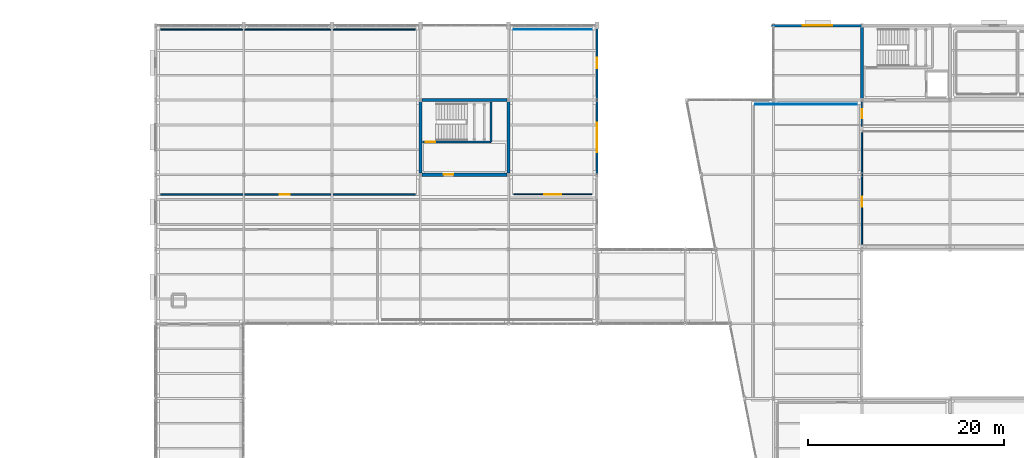
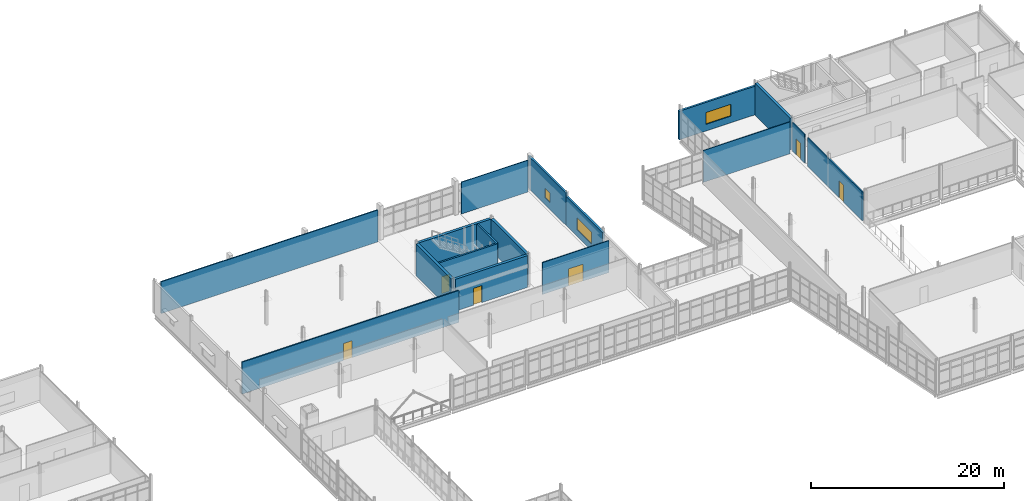
# One storey, part 161 of 174: 17 walls, 6 doors, 3 windows, 9 openings.
"""IFC4 building model written with IfcOpenShell, lengths in metres."""

from ifc_helpers import new_model, si_unit, direction, frame, frame_2d, origin, place, context, subcontext, project, spatial, rectangle, extrude, material, layer, layer_set, type_object, element, fill, save


model = new_model("IFC4")

# Units and contexts
model_context = context("Model", 3, precision=1e-05, world=origin(), true_north=direction((0.0, 1.0)))
body_context = subcontext(model_context, "Body", "Model", "MODEL_VIEW")
ifc_project = project(units=[si_unit("LENGTHUNIT", "METRE"), si_unit("AREAUNIT", "SQUARE_METRE"), si_unit("VOLUMEUNIT", "CUBIC_METRE"), si_unit("PLANEANGLEUNIT", "RADIAN"), si_unit("MASSUNIT", "GRAM", prefix="KILO")], contexts=[model_context])

# Site, building, storey
site_placement = place(None, origin())
site = spatial("IfcSite", under=ifc_project, at=site_placement, CompositionType="ELEMENT")
building_placement = place(site_placement, origin())
building = spatial("IfcBuilding", under=site, at=building_placement, Name="Caisbarro Railhouse Central Library", CompositionType="ELEMENT")
storey_placement = place(building_placement, frame((0.0, 0.0, 5.0400390625)))
storey = spatial("IfcBuildingStorey", under=building, at=storey_placement, Name="L01", CompositionType="ELEMENT", Elevation=5.0400390625)

# Wall
ifc_material_1 = material(Name="Concrete C40", Category="concrete")
ifc_layer_1 = layer(ifc_material_1, 0.320068359375, Name="Concrete C40")
ifc_layer_set_1 = layer_set([ifc_layer_1], Name="Concrete C40")
wall_type_1 = type_object("IfcWallType", Name="WAL-CW32", PredefinedType="SHEAR", material=ifc_layer_set_1)
wall_1_placement = place(storey_placement, frame((126.0, 106.56005859375, 0.0), z_axis=(0.0, 0.0, 1.0), x_axis=(0.0, 1.0, 0.0)))
element("IfcWall", 1, at=wall_1_placement, inside=storey, type_object=wall_type_1, Name="CW32 RC core shear wall L01 #44", PredefinedType="SHEAR", context=body_context, shape_type="SweptSolid", body=[
    extrude(rectangle(XDim=7.280029296875, YDim=0.320068359375, at=frame_2d((3.64013671875, 0.0))), origin(), (0.0, 0.0, 1.0), 4.0400390625),
])

# Wall, opening, door
wall_2_placement = place(storey_placement, frame((81.159912109375, 98.800048828125, 0.0), z_axis=(0.0, 0.0, 1.0), x_axis=(1.0, 0.0, 0.0)))
wall_2 = element("IfcWall", 2, at=wall_2_placement, inside=storey, type_object=wall_type_1, Name="CW32 RC core shear wall L01 #72", PredefinedType="SHEAR", context=body_context, shape_type="SweptSolid", body=[
    extrude(rectangle(XDim=8.68017578125, YDim=0.320068359375, at=frame_2d((4.340087890625, 0.0))), origin(), (0.0, 0.0, 1.0), 4.0400390625),
])
opening_1_placement = place(wall_2_placement, frame((2.199951171875, 0.0, 0.0)))
opening_1 = element("IfcOpeningElement", 3, at=opening_1_placement, cuts=wall_2, Name="Opening FD05", PredefinedType="OPENING", context=body_context, shape_type="SweptSolid", body=[
    extrude(rectangle(XDim=1.0, YDim=2.14990234375, at=frame_2d((0.5, 1.074951171875))), frame((0.0, 0.169921875, 0.0), z_axis=(0.0, -1.0, 0.0), x_axis=(1.0, 0.0, 0.0)), (0.0, 0.0, 1.0), 0.340087890625),
])
ifc_material_2 = material(Name="Fire-rated painted galvanised steel", Category="steel")
door_type_1 = type_object("IfcDoorType", Name="DR-FD05", OperationType="NOTDEFINED", PredefinedType="DOOR", material=ifc_material_2)
door_1_placement = place(opening_1_placement, origin())
door_1 = element("IfcDoor", 4, at=door_1_placement, inside=storey, type_object=door_type_1, Name="Core K5 Lobby Door FD05 L01-114", OperationType="SINGLE_SWING_LEFT", OverallHeight=2.14990234375, OverallWidth=1.0, PredefinedType="DOOR", context=body_context, shape_type="SweptSolid", body=[
    extrude(rectangle(XDim=1.0, YDim=2.14990234375, at=frame_2d((0.5, 1.074951171875))), frame((0.0, 0.02490234375, 0.0), z_axis=(0.0, -1.0, 0.0), x_axis=(1.0, 0.0, 0.0)), (0.0, 0.0, 1.0), 0.050048828125),
])
fill(opening_1, door_1)

# Walls
wall_3_placement = place(storey_placement, frame((81.159912109375, 106.39990234375, 0.0), z_axis=(0.0, 0.0, 1.0), x_axis=(1.0, 0.0, 0.0)))
element("IfcWall", 5, at=wall_3_placement, inside=storey, type_object=wall_type_1, Name="CW32 RC core shear wall L01 #73", PredefinedType="SHEAR", context=body_context, shape_type="SweptSolid", body=[
    extrude(rectangle(XDim=8.68017578125, YDim=0.320068359375, at=frame_2d((4.340087890625, 0.0))), origin(), (0.0, 0.0, 1.0), 4.0400390625),
])
for number, where, z_axis, x_axis, name in (
    (6, (81.0, 98.9599609375, 0.0), (0.0, 0.0, 1.0), (0.0, 1.0, 0.0), "CW32 RC core shear wall L01 #74"),
    (7, (90.0, 98.9599609375, 0.0), (0.0, 0.0, 1.0), (0.0, 1.0, 0.0), "CW32 RC core shear wall L01 #75"),
):
    element("IfcWall", number, at=place(storey_placement, frame(where, z_axis=z_axis, x_axis=x_axis)), inside=storey, type_object=wall_type_1, Name=name, PredefinedType="SHEAR", context=body_context, shape_type="SweptSolid", body=[
        extrude(rectangle(XDim=7.280029296875, YDim=0.320068359375, at=frame_2d((3.64013671875, 0.0))), origin(), (0.0, 0.0, 1.0), 4.0400390625),
    ])

# Wall, opening, window
ifc_material_3 = material(Name="Concrete C35 insulated architectural precast", Category="concrete")
ifc_layer_2 = layer(ifc_material_3, 0.239990234375, Name="Concrete C35 insulated architectural precast")
ifc_layer_set_2 = layer_set([ifc_layer_2], Name="Concrete C35 insulated architectural precast")
wall_type_2 = type_object("IfcWallType", Name="WAL-EW24", PredefinedType="STANDARD", material=ifc_layer_set_2)
wall_4_placement = place(storey_placement, frame((116.7900390625, 114.0, 0.0), z_axis=(0.0, 0.0, 1.0), x_axis=(1.0, 0.0, 0.0)))
wall_4 = element("IfcWall", 8, at=wall_4_placement, inside=storey, type_object=wall_type_2, Name="EW24 exterior wall L01 #208", PredefinedType="STANDARD", context=body_context, shape_type="SweptSolid", body=[
    extrude(rectangle(XDim=9.2099609375, YDim=0.239990234375, at=frame_2d((4.60498046875, 0.0))), origin(), (0.0, 0.0, 1.0), 3.630859375),
])
opening_2_placement = place(wall_4_placement, frame((3.2099609375, 0.0, 0.85009765625)))
opening_2 = element("IfcOpeningElement", 9, at=opening_2_placement, cuts=wall_4, Name="Opening W27", PredefinedType="OPENING", context=body_context, shape_type="SweptSolid", body=[
    extrude(rectangle(XDim=3.0, YDim=1.5, at=frame_2d((1.5, 0.75))), frame((0.0, 0.1298828125, 0.0), z_axis=(0.0, -1.0, 0.0), x_axis=(1.0, 0.0, 0.0)), (0.0, 0.0, 1.0), 0.260009765625),
])
ifc_material_4 = material(Name="Double low-e laminated solar-control glass", Category="glass")
window_type_1 = type_object("IfcWindowType", Name="WIN-W27", PartitioningType="SINGLE_PANEL", PredefinedType="WINDOW", material=ifc_material_4)
window_1_placement = place(opening_2_placement, origin())
window_1 = element("IfcWindow", 10, at=window_1_placement, inside=storey, type_object=window_type_1, Name="W27 window L01-068", OverallHeight=1.5, OverallWidth=3.0, PartitioningType="SINGLE_PANEL", PredefinedType="WINDOW", context=body_context, shape_type="SweptSolid", body=[
    extrude(rectangle(XDim=3.0, YDim=1.5, at=frame_2d((1.5, 0.75))), frame((0.0, 0.030029296875, 0.0), z_axis=(0.0, -1.0, 0.0), x_axis=(1.0, 0.0, 0.0)), (0.0, 0.0, 1.0), 0.06005859375),
])
fill(opening_2, window_1)

wall_5_placement = place(storey_placement, frame((99.0, 98.800048828125, 0.0), z_axis=(0.0, 0.0, 1.0), x_axis=(0.0, 1.0, 0.0)))
wall_5 = element("IfcWall", 11, at=wall_5_placement, inside=storey, type_object=wall_type_2, Name="EW24 exterior wall L01 #245", PredefinedType="STANDARD", context=body_context, shape_type="SweptSolid", body=[
    extrude(rectangle(XDim=7.599853515625, YDim=0.239990234375, at=frame_2d((3.7998046875, 0.0))), origin(), (0.0, 0.0, 1.0), 3.700927734375),
])
opening_3_placement = place(wall_5_placement, frame((2.300048828125, 0.0, 0.85009765625)))
opening_3 = element("IfcOpeningElement", 12, at=opening_3_placement, cuts=wall_5, Name="Opening W27", PredefinedType="OPENING", context=body_context, shape_type="SweptSolid", body=[
    extrude(rectangle(XDim=3.0, YDim=1.5, at=frame_2d((1.5, 0.75))), frame((0.0, 0.1298828125, 0.0), z_axis=(0.0, -1.0, 0.0), x_axis=(1.0, 0.0, 0.0)), (0.0, 0.0, 1.0), 0.260009765625),
])
window_2_placement = place(opening_3_placement, origin())
window_2 = element("IfcWindow", 13, at=window_2_placement, inside=storey, type_object=window_type_1, Name="W27 window L01-093", OverallHeight=1.5, OverallWidth=3.0, PartitioningType="SINGLE_PANEL", PredefinedType="WINDOW", context=body_context, shape_type="SweptSolid", body=[
    extrude(rectangle(XDim=3.0, YDim=1.5, at=frame_2d((1.5, 0.75))), frame((0.0, 0.030029296875, 0.0), z_axis=(0.0, -1.0, 0.0), x_axis=(1.0, 0.0, 0.0)), (0.0, 0.0, 1.0), 0.06005859375),
])
fill(opening_3, window_2)

wall_6_placement = place(storey_placement, frame((99.0, 106.39990234375, 0.0), z_axis=(0.0, 0.0, 1.0), x_axis=(0.0, 1.0, 0.0)))
wall_6 = element("IfcWall", 14, at=wall_6_placement, inside=storey, type_object=wall_type_2, Name="EW24 exterior wall L01 #247", PredefinedType="STANDARD", context=body_context, shape_type="SweptSolid", body=[
    extrude(rectangle(XDim=7.81005859375, YDim=0.239990234375, at=frame_2d((3.905029296875, 0.0))), origin(), (0.0, 0.0, 1.0), 4.080078125),
])
opening_4_placement = place(wall_6_placement, frame((3.27490234375, 0.0, 0.85009765625)))
opening_4 = element("IfcOpeningElement", 15, at=opening_4_placement, cuts=wall_6, Name="Opening W02", PredefinedType="OPENING", context=body_context, shape_type="SweptSolid", body=[
    extrude(rectangle(XDim=1.050048828125, YDim=1.199951171875, at=frame_2d((0.52490234375, 0.60009765625))), frame((0.0, 0.1298828125, 0.0), z_axis=(0.0, -1.0, 0.0), x_axis=(1.0, 0.0, 0.0)), (0.0, 0.0, 1.0), 0.260009765625),
])
window_type_2 = type_object("IfcWindowType", Name="WIN-W02", PartitioningType="SINGLE_PANEL", PredefinedType="WINDOW", material=ifc_material_4)
window_3_placement = place(opening_4_placement, origin())
window_3 = element("IfcWindow", 16, at=window_3_placement, inside=storey, type_object=window_type_2, Name="W02 window L01-095", OverallHeight=1.199951171875, OverallWidth=1.050048828125, PartitioningType="SINGLE_PANEL", PredefinedType="WINDOW", context=body_context, shape_type="SweptSolid", body=[
    extrude(rectangle(XDim=1.050048828125, YDim=1.199951171875, at=frame_2d((0.52490234375, 0.60009765625))), frame((0.0, 0.030029296875, 0.0), z_axis=(0.0, -1.0, 0.0), x_axis=(1.0, 0.0, 0.0)), (0.0, 0.0, 1.0), 0.06005859375),
])
fill(opening_4, window_3)

# Walls
ifc_material_5 = material(Name="Acoustic gypsum board on galvanised steel studs", Category="steel")
ifc_layer_3 = layer(ifc_material_5, 0.090087890625, Name="Acoustic gypsum board on galvanised steel studs")
ifc_layer_set_3 = layer_set([ifc_layer_3], Name="Acoustic gypsum board on galvanised steel studs")
wall_type_3 = type_object("IfcWallType", Name="WAL-IW09", PredefinedType="PARTITIONING", material=ifc_layer_set_3)
wall_7_placement = place(storey_placement, frame((90.52001953125, 113.60009765625, 0.0), z_axis=(0.0, 0.0, 1.0), x_axis=(1.0, 0.0, 0.0)))
element("IfcWall", 17, at=wall_7_placement, inside=storey, type_object=wall_type_3, Name="IW09 partition wall L01 #431", PredefinedType="PARTITIONING", context=body_context, shape_type="SweptSolid", body=[
    extrude(rectangle(XDim=7.9599609375, YDim=0.090087890625, at=frame_2d((3.97998046875, 0.0))), origin(), (0.0, 0.0, 1.0), 4.0400390625),
])
wall_8_placement = place(storey_placement, frame((115.1201171875, 106.0, 0.0), z_axis=(0.0, 0.0, 1.0), x_axis=(1.0, 0.0, 0.0)))
element("IfcWall", 18, at=wall_8_placement, inside=storey, type_object=wall_type_3, Name="IW09 partition wall L01 #463", PredefinedType="PARTITIONING", context=body_context, shape_type="SweptSolid", body=[
    extrude(rectangle(XDim=10.35986328125, YDim=0.090087890625, at=frame_2d((5.179931640625, 0.0))), origin(), (0.0, 0.0, 1.0), 4.0400390625),
])

# Wall, opening, door
ifc_layer_4 = layer(ifc_material_5, 0.110107421875, Name="Acoustic gypsum board on galvanised steel studs")
ifc_layer_set_4 = layer_set([ifc_layer_4], Name="Acoustic gypsum board on galvanised steel studs")
wall_type_4 = type_object("IfcWallType", Name="WAL-IW11", PredefinedType="PARTITIONING", material=ifc_layer_set_4)
wall_9_placement = place(storey_placement, frame((90.52001953125, 96.800048828125, 0.0), z_axis=(0.0, 0.0, 1.0), x_axis=(1.0, 0.0, 0.0)))
wall_9 = element("IfcWall", 19, at=wall_9_placement, inside=storey, type_object=wall_type_4, Name="IW11 partition wall L01 #430", PredefinedType="PARTITIONING", context=body_context, shape_type="SweptSolid", body=[
    extrude(rectangle(XDim=7.9599609375, YDim=0.110107421875, at=frame_2d((3.97998046875, 0.0))), origin(), (0.0, 0.0, 1.0), 4.0400390625),
])
opening_5_placement = place(wall_9_placement, frame((3.114990234375, 0.0, 0.0)))
opening_5 = element("IfcOpeningElement", 20, at=opening_5_placement, cuts=wall_9, Name="Opening ID36", PredefinedType="OPENING", context=body_context, shape_type="SweptSolid", body=[
    extrude(rectangle(XDim=1.72998046875, YDim=2.14990234375, at=frame_2d((0.864990234375, 1.074951171875))), frame((0.0, 0.06494140625, 0.0), z_axis=(0.0, -1.0, 0.0), x_axis=(1.0, 0.0, 0.0)), (0.0, 0.0, 1.0), 0.130126953125),
])
ifc_material_6 = material(Name="Solid-core tropical hardwood veneer", Category="wood")
door_type_2 = type_object("IfcDoorType", Name="DR-ID36", OperationType="NOTDEFINED", PredefinedType="DOOR", material=ifc_material_6)
door_2_placement = place(opening_5_placement, origin())
door_2 = element("IfcDoor", 21, at=door_2_placement, inside=storey, type_object=door_type_2, Name="Civic Workshop Classroom Door ID36 L01-255", OperationType="SINGLE_SWING_LEFT", OverallHeight=2.14990234375, OverallWidth=1.72998046875, PredefinedType="DOOR", context=body_context, shape_type="SweptSolid", body=[
    extrude(rectangle(XDim=1.72998046875, YDim=2.14990234375, at=frame_2d((0.864990234375, 1.074951171875))), frame((0.0, 0.02490234375, 0.0), z_axis=(0.0, -1.0, 0.0), x_axis=(1.0, 0.0, 0.0)), (0.0, 0.0, 1.0), 0.050048828125),
])
fill(opening_5, door_2)

# Wall
ifc_layer_5 = layer(ifc_material_5, 0.1298828125, Name="Acoustic gypsum board on galvanised steel studs")
ifc_layer_set_5 = layer_set([ifc_layer_5], Name="Acoustic gypsum board on galvanised steel studs")
wall_type_5 = type_object("IfcWallType", Name="WAL-IW13", PredefinedType="PARTITIONING", material=ifc_layer_set_5)
wall_10_placement = place(storey_placement, frame((54.52001953125, 113.60009765625, 0.0), z_axis=(0.0, 0.0, 1.0), x_axis=(1.0, 0.0, 0.0)))
element("IfcWall", 22, at=wall_10_placement, inside=storey, type_object=wall_type_5, Name="IW13 partition wall L01 #429", PredefinedType="PARTITIONING", context=body_context, shape_type="SweptSolid", body=[
    extrude(rectangle(XDim=25.9599609375, YDim=0.1298828125, at=frame_2d((12.97998046875, 0.0))), origin(), (0.0, 0.0, 1.0), 4.0400390625),
])

# Wall, opening, door
wall_11_placement = place(storey_placement, frame((126.0, 103.719970703125, 0.0), z_axis=(0.0, 0.0, 1.0), x_axis=(0.0, 1.0, 0.0)))
wall_11 = element("IfcWall", 23, at=wall_11_placement, inside=storey, type_object=wall_type_5, Name="IW13 partition wall L01 #465", PredefinedType="PARTITIONING", context=body_context, shape_type="SweptSolid", body=[
    extrude(rectangle(XDim=2.56005859375, YDim=0.1298828125, at=frame_2d((1.280029296875, 0.0))), origin(), (0.0, 0.0, 1.0), 3.630859375),
])
opening_6_placement = place(wall_11_placement, frame((0.830078125, 0.0, 0.0)))
opening_6 = element("IfcOpeningElement", 24, at=opening_6_placement, cuts=wall_11, Name="Opening ID02", PredefinedType="OPENING", context=body_context, shape_type="SweptSolid", body=[
    extrude(rectangle(XDim=0.89990234375, YDim=2.06005859375, at=frame_2d((0.449951171875, 1.030029296875))), frame((0.0, 0.074951171875, 0.0), z_axis=(0.0, -1.0, 0.0), x_axis=(1.0, 0.0, 0.0)), (0.0, 0.0, 1.0), 0.14990234375),
])
door_type_3 = type_object("IfcDoorType", Name="DR-ID02", OperationType="NOTDEFINED", PredefinedType="DOOR", material=ifc_material_6)
door_3_placement = place(opening_6_placement, origin())
door_3 = element("IfcDoor", 25, at=door_3_placement, inside=storey, type_object=door_type_3, Name="Atrium North WC Corridor L01 Door ID02 L01-273", OperationType="SINGLE_SWING_LEFT", OverallHeight=2.06005859375, OverallWidth=0.89990234375, PredefinedType="DOOR", context=body_context, shape_type="SweptSolid", body=[
    extrude(rectangle(XDim=0.89990234375, YDim=2.06005859375, at=frame_2d((0.449951171875, 1.030029296875))), frame((0.0, 0.02490234375, 0.0), z_axis=(0.0, -1.0, 0.0), x_axis=(1.0, 0.0, 0.0)), (0.0, 0.0, 1.0), 0.050048828125),
])
fill(opening_6, door_3)

ifc_layer_6 = layer(ifc_material_5, 0.14990234375, Name="Acoustic gypsum board on galvanised steel studs")
ifc_layer_set_6 = layer_set([ifc_layer_6], Name="Acoustic gypsum board on galvanised steel studs")
wall_type_6 = type_object("IfcWallType", Name="WAL-IW15", PredefinedType="PARTITIONING", material=ifc_layer_set_6)
wall_12_placement = place(storey_placement, frame((54.52001953125, 96.800048828125, 0.0), z_axis=(0.0, 0.0, 1.0), x_axis=(1.0, 0.0, 0.0)))
wall_12 = element("IfcWall", 26, at=wall_12_placement, inside=storey, type_object=wall_type_6, Name="IW15 partition wall L01 #428", PredefinedType="PARTITIONING", context=body_context, shape_type="SweptSolid", body=[
    extrude(rectangle(XDim=25.9599609375, YDim=0.14990234375, at=frame_2d((12.97998046875, 0.0))), origin(), (0.0, 0.0, 1.0), 4.0400390625),
])
opening_7_placement = place(wall_12_placement, frame((12.1650390625, 0.0, 0.0)))
opening_7 = element("IfcOpeningElement", 27, at=opening_7_placement, cuts=wall_12, Name="Opening FD05", PredefinedType="OPENING", context=body_context, shape_type="SweptSolid", body=[
    extrude(rectangle(XDim=1.0, YDim=2.14990234375, at=frame_2d((0.5, 1.074951171875))), frame((0.0, 0.0849609375, 0.0), z_axis=(0.0, -1.0, 0.0), x_axis=(1.0, 0.0, 0.0)), (0.0, 0.0, 1.0), 0.169921875),
])
door_4_placement = place(opening_7_placement, origin())
door_4 = element("IfcDoor", 28, at=door_4_placement, inside=storey, type_object=door_type_1, Name="Adult Literacy Seminar Room Door FD05 L01-254", OperationType="SINGLE_SWING_RIGHT", OverallHeight=2.14990234375, OverallWidth=1.0, PredefinedType="DOOR", context=body_context, shape_type="SweptSolid", body=[
    extrude(rectangle(XDim=1.0, YDim=2.14990234375, at=frame_2d((0.5, 1.074951171875))), frame((0.0, 0.02490234375, 0.0), z_axis=(0.0, -1.0, 0.0), x_axis=(1.0, 0.0, 0.0)), (0.0, 0.0, 1.0), 0.050048828125),
])
fill(opening_7, door_4)

wall_13_placement = place(storey_placement, frame((126.0, 91.719970703125, 0.0), z_axis=(0.0, 0.0, 1.0), x_axis=(0.0, 1.0, 0.0)))
wall_13 = element("IfcWall", 29, at=wall_13_placement, inside=storey, type_object=wall_type_6, Name="IW15 partition wall L01 #436", PredefinedType="PARTITIONING", context=body_context, shape_type="SweptSolid", body=[
    extrude(rectangle(XDim=11.360107421875, YDim=0.14990234375, at=frame_2d((5.68017578125, 0.0))), origin(), (0.0, 0.0, 1.0), 3.630859375),
])
opening_8_placement = place(wall_13_placement, frame((3.840087890625, 0.0, 0.0)))
opening_8 = element("IfcOpeningElement", 30, at=opening_8_placement, cuts=wall_13, Name="Opening FD05", PredefinedType="OPENING", context=body_context, shape_type="SweptSolid", body=[
    extrude(rectangle(XDim=1.0, YDim=2.14990234375, at=frame_2d((0.5, 1.074951171875))), frame((0.0, 0.0849609375, 0.0), z_axis=(0.0, -1.0, 0.0), x_axis=(1.0, 0.0, 0.0)), (0.0, 0.0, 1.0), 0.169921875),
])
door_5_placement = place(opening_8_placement, origin())
door_5 = element("IfcDoor", 31, at=door_5_placement, inside=storey, type_object=door_type_1, Name="Atrium West Splayed Reading Gallery L01 Door FD05 L01-271", OperationType="SINGLE_SWING_LEFT", OverallHeight=2.14990234375, OverallWidth=1.0, PredefinedType="DOOR", context=body_context, shape_type="SweptSolid", body=[
    extrude(rectangle(XDim=1.0, YDim=2.14990234375, at=frame_2d((0.5, 1.074951171875))), frame((0.0, 0.02490234375, 0.0), z_axis=(0.0, -1.0, 0.0), x_axis=(1.0, 0.0, 0.0)), (0.0, 0.0, 1.0), 0.050048828125),
])
fill(opening_8, door_5)

ifc_layer_7 = layer(ifc_material_1, 0.2099609375, Name="Concrete C40")
ifc_layer_set_7 = layer_set([ifc_layer_7], Name="Concrete C40")
wall_type_7 = type_object("IfcWallType", Name="WAL-SW21", PredefinedType="SOLIDWALL", material=ifc_layer_set_7)
wall_14_placement = place(storey_placement, frame((81.199951171875, 102.14990234375, 0.0), z_axis=(0.0, 0.0, 1.0), x_axis=(1.0, 0.0, 0.0)))
wall_14 = element("IfcWall", 32, at=wall_14_placement, inside=storey, type_object=wall_type_7, Name="SW21 core shaft wall L01 #137", PredefinedType="SOLIDWALL", context=body_context, shape_type="SweptSolid", body=[
    extrude(rectangle(XDim=7.0, YDim=0.2099609375, at=frame_2d((3.5, 0.0))), origin(), (0.0, 0.0, 1.0), 4.0400390625),
])
opening_9_placement = place(wall_14_placement, frame((0.35009765625, 0.0, 0.0)))
opening_9 = element("IfcOpeningElement", 33, at=opening_9_placement, cuts=wall_14, Name="Opening FD01", PredefinedType="OPENING", context=body_context, shape_type="SweptSolid", body=[
    extrude(rectangle(XDim=0.949951171875, YDim=2.1201171875, at=frame_2d((0.47509765625, 1.06005859375))), frame((0.0, 0.114990234375, 0.0), z_axis=(0.0, -1.0, 0.0), x_axis=(1.0, 0.0, 0.0)), (0.0, 0.0, 1.0), 0.22998046875),
])
door_type_4 = type_object("IfcDoorType", Name="DR-FD01", OperationType="NOTDEFINED", PredefinedType="DOOR", material=ifc_material_2)
door_6_placement = place(opening_9_placement, origin())
door_6 = element("IfcDoor", 34, at=door_6_placement, inside=storey, type_object=door_type_4, Name="Stair ST-05 Fire Door FD01 L01-113", OperationType="SINGLE_SWING_RIGHT", OverallHeight=2.1201171875, OverallWidth=0.949951171875, PredefinedType="DOOR", context=body_context, shape_type="SweptSolid", body=[
    extrude(rectangle(XDim=0.949951171875, YDim=2.1201171875, at=frame_2d((0.47509765625, 1.06005859375))), frame((0.0, 0.02490234375, 0.0), z_axis=(0.0, -1.0, 0.0), x_axis=(1.0, 0.0, 0.0)), (0.0, 0.0, 1.0), 0.050048828125),
])
fill(opening_9, door_6)

# Wall
wall_15_placement = place(storey_placement, frame((88.199951171875, 102.14990234375, 0.0), z_axis=(0.0, 0.0, 1.0), x_axis=(0.0, 1.0, 0.0)))
element("IfcWall", 35, at=wall_15_placement, inside=storey, type_object=wall_type_7, Name="SW21 core shaft wall L01 #138", PredefinedType="SOLIDWALL", context=body_context, shape_type="SweptSolid", body=[
    extrude(rectangle(XDim=4.050048828125, YDim=0.2099609375, at=frame_2d((2.02490234375, 0.0))), origin(), (0.0, 0.0, 1.0), 4.0400390625),
])

save(model, "model.ifc")
